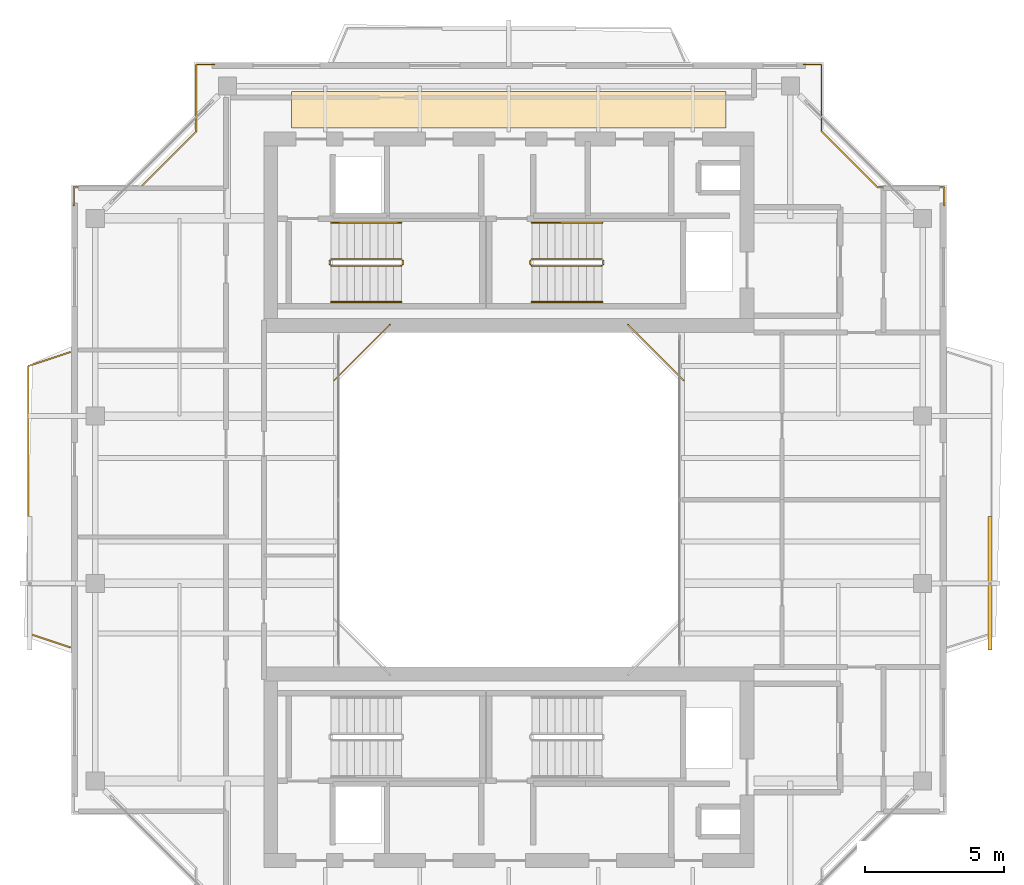
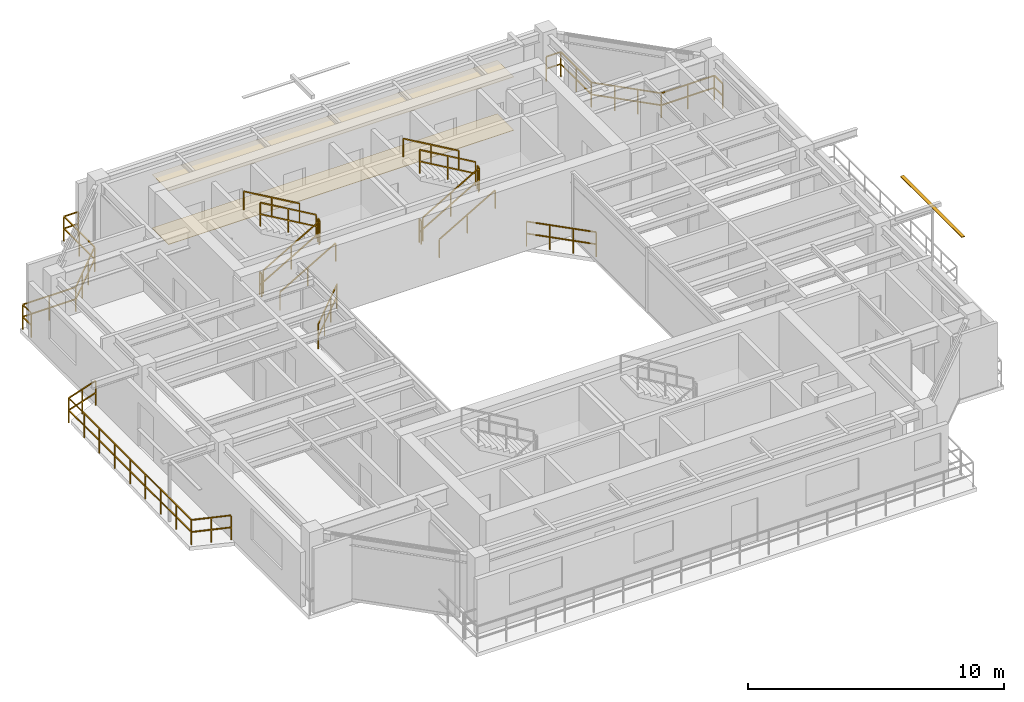
# One storey, part 14 of 15: 17 railings, 2 coverings, 1 shading device.
"""IFC4 building model written with IfcOpenShell, lengths in metres."""

from ifc_helpers import new_model, si_unit, direction, frame, origin, origin_2d, place, context, subcontext, project, spatial, polyline, rectangle, outline, extrude, source, transform, mapped, material, layer, layer_set, material_profile, profile_set, type_object, element, save


model = new_model("IFC4")

# Units and contexts
model_context = context("Model", 3, precision=1e-05, world=origin(), true_north=direction((0.0, 1.0)))
body_context = subcontext(model_context, "Body", "Model", "MODEL_VIEW")
ifc_project = project(units=[si_unit("LENGTHUNIT", "METRE"), si_unit("AREAUNIT", "SQUARE_METRE"), si_unit("VOLUMEUNIT", "CUBIC_METRE"), si_unit("PLANEANGLEUNIT", "RADIAN"), si_unit("MASSUNIT", "GRAM", prefix="KILO"), si_unit("THERMODYNAMICTEMPERATUREUNIT", "KELVIN"), si_unit("POWERUNIT", "WATT")], contexts=[model_context])

# Site, building, storey
site_placement = place(None, origin())
site = spatial("IfcSite", under=ifc_project, at=site_placement, CompositionType="ELEMENT")
building_placement = place(site_placement, origin())
building = spatial("IfcBuilding", under=site, at=building_placement, Name="Qiaomeng Ring Towers", CompositionType="ELEMENT")
storey_placement = place(building_placement, frame((0.0, 0.0, 237.25)))
storey = spatial("IfcBuildingStorey", under=building, at=storey_placement, Name="L69", CompositionType="ELEMENT", Elevation=237.25)

# Coverings
ifc_material_1 = material(Name="Moisture-resistant gypsum ceiling board", Category="gypsum")
ifc_layer_1 = layer(ifc_material_1, 0.030029296875, Name="Moisture-resistant gypsum ceiling board")
ifc_layer_set_1 = layer_set([ifc_layer_1], Name="Moisture-resistant gypsum ceiling board")
covering_type_1 = type_object("IfcCoveringType", Name="ARC-COV-CEIL2", PredefinedType="CEILING", material=ifc_layer_set_1)
covering_1_placement = place(storey_placement, frame((0.0, 0.0, 2.550048828125)))
element("IfcCovering", 1, at=covering_1_placement, inside=storey, type_object=covering_type_1, Name="L69 Corridor Acoustic Ceiling", PredefinedType="CEILING", context=body_context, shape_type="SweptSolid", body=[
    extrude(outline(polyline([(11.199951171875, 36.35009765625), (11.199951171875, 37.64990234375), (26.800048828125, 37.64990234375), (26.800048828125, 36.35009765625), (11.199951171875, 36.35009765625)])), origin(), (0.0, 0.0, 1.0), 0.02490234375),
])
ifc_material_2 = material(Name="Vitrified porcelain floor tile", Category="ceramic")
ifc_layer_2 = layer(ifc_material_2, 0.02001953125, Name="Vitrified porcelain floor tile")
ifc_layer_set_2 = layer_set([ifc_layer_2], Name="Vitrified porcelain floor tile")
covering_type_2 = type_object("IfcCoveringType", Name="ARC-COV-FLR1", PredefinedType="FLOORING", material=ifc_layer_set_2)
covering_2_placement = place(storey_placement, origin())
element("IfcCovering", 2, at=covering_2_placement, inside=storey, type_object=covering_type_2, Name="L69 Corridor Stone Flooring", PredefinedType="FLOORING", context=body_context, shape_type="SweptSolid", body=[
    extrude(outline(polyline([(11.199951171875, 36.35009765625), (11.199951171875, 37.64990234375), (26.800048828125, 37.64990234375), (26.800048828125, 36.35009765625), (11.199951171875, 36.35009765625)])), origin(), (0.0, 0.0, 1.0), 0.02001953125),
])

# Railings
ifc_material_3 = material(Name="Low-E pale-green laminated safety glass", Category="glass")
railing_type_1 = type_object("IfcRailingType", Name="ARC-RL-BAL1", PredefinedType="BALUSTRADE", material=ifc_material_3)
railing_1_placement = place(storey_placement, frame((25.280029296875, 27.280029296875, 0.0)))
element("IfcRailing", 3, at=railing_1_placement, inside=storey, type_object=railing_type_1, Name="L69 Balustrade ARC-BAL-WELL1-L69-2", PredefinedType="BALUSTRADE", context=body_context, shape_type="SweptSolid", body=[
    extrude(rectangle(XDim=0.048095703125, YDim=0.048095703125, at=origin_2d()), frame((0.0, 0.0, 1.17578125), z_axis=(-0.707106781187, 0.707106781187, 0.0), x_axis=(-0.707106781187, -0.707106781187, 0.0)), (0.0, 0.0, 1.0), 2.828369140625),
    extrude(rectangle(XDim=0.048095703125, YDim=0.048095703125, at=origin_2d()), frame((0.0, 0.0, 0.60009765625), z_axis=(-0.707106781187, 0.707106781187, 0.0), x_axis=(-0.707106781187, -0.707106781187, 0.0)), (0.0, 0.0, 1.0), 2.828369140625),
    extrude(rectangle(XDim=0.0419921875, YDim=0.0419921875, at=origin_2d()), origin(), (0.0, 0.0, 1.0), 1.15185546875),
    extrude(rectangle(XDim=0.0419921875, YDim=0.0419921875, at=origin_2d()), frame((-0.666748046875, 0.666748046875, 0.0)), (0.0, 0.0, 1.0), 1.15185546875),
    extrude(rectangle(XDim=0.0419921875, YDim=0.0419921875, at=origin_2d()), frame((-1.333251953125, 1.333251953125, 0.0)), (0.0, 0.0, 1.0), 1.15185546875),
    extrude(rectangle(XDim=0.0419921875, YDim=0.0419921875, at=origin_2d()), frame((-2.0, 2.0, 0.0)), (0.0, 0.0, 1.0), 1.15185546875),
])
railing_2_placement = place(storey_placement, frame((14.719970703125, 29.280029296875, 0.0)))
element("IfcRailing", 4, at=railing_2_placement, inside=storey, type_object=railing_type_1, Name="L69 Balustrade ARC-BAL-WELL1-L69-3", PredefinedType="BALUSTRADE", context=body_context, shape_type="SweptSolid", body=[
    extrude(rectangle(XDim=0.048095703125, YDim=0.048095703125, at=origin_2d()), frame((0.0, 0.0, 1.17578125), z_axis=(-0.707106781187, -0.707106781187, 0.0), x_axis=(0.707106781187, -0.707106781187, 0.0)), (0.0, 0.0, 1.0), 2.828369140625),
    extrude(rectangle(XDim=0.048095703125, YDim=0.048095703125, at=origin_2d()), frame((0.0, 0.0, 0.60009765625), z_axis=(-0.707106781187, -0.707106781187, 0.0), x_axis=(0.707106781187, -0.707106781187, 0.0)), (0.0, 0.0, 1.0), 2.828369140625),
    extrude(rectangle(XDim=0.0419921875, YDim=0.0419921875, at=origin_2d()), origin(), (0.0, 0.0, 1.0), 1.15185546875),
    extrude(rectangle(XDim=0.0419921875, YDim=0.0419921875, at=origin_2d()), frame((-0.666748046875, -0.666748046875, 0.0)), (0.0, 0.0, 1.0), 1.15185546875),
    extrude(rectangle(XDim=0.0419921875, YDim=0.0419921875, at=origin_2d()), frame((-1.333251953125, -1.333251953125, 0.0)), (0.0, 0.0, 1.0), 1.15185546875),
    extrude(rectangle(XDim=0.0419921875, YDim=0.0419921875, at=origin_2d()), frame((-2.0, -2.0, 0.0)), (0.0, 0.0, 1.0), 1.15185546875),
])
railing_3_placement = place(storey_placement, frame((34.6201171875, 33.570068359375, 0.0)))
element("IfcRailing", 5, at=railing_3_placement, inside=storey, type_object=railing_type_1, Name="L69 Balustrade ARC-BAL-NOTCH1-L69-NE", PredefinedType="BALUSTRADE", context=body_context, shape_type="SweptSolid", body=[
    extrude(rectangle(XDim=0.048095703125, YDim=0.048095703125, at=origin_2d()), frame((0.0, 0.0, 1.17578125), z_axis=(0.0, 1.0, 0.0), x_axis=(-1.0, 0.0, 0.0)), (0.0, 0.0, 1.0), 0.64990234375),
    extrude(rectangle(XDim=0.048095703125, YDim=0.048095703125, at=origin_2d()), frame((0.0, 0.0, 0.60009765625), z_axis=(0.0, 1.0, 0.0), x_axis=(-1.0, 0.0, 0.0)), (0.0, 0.0, 1.0), 0.64990234375),
    extrude(rectangle(XDim=0.048095703125, YDim=0.048095703125, at=origin_2d()), frame((0.0, 0.64990234375, 1.17578125), z_axis=(-1.0, 0.0, 0.0), x_axis=(0.0, -1.0, 0.0)), (0.0, 0.0, 1.0), 2.400146484375),
    extrude(rectangle(XDim=0.048095703125, YDim=0.048095703125, at=origin_2d()), frame((0.0, 0.64990234375, 0.60009765625), z_axis=(-1.0, 0.0, 0.0), x_axis=(0.0, -1.0, 0.0)), (0.0, 0.0, 1.0), 2.400146484375),
    extrude(rectangle(XDim=0.048095703125, YDim=0.048095703125, at=origin_2d()), frame((-2.400146484375, 0.64990234375, 1.17578125), z_axis=(-0.707106781187, 0.707106781187, 0.0), x_axis=(-0.707106781187, -0.707106781187, 0.0)), (0.0, 0.0, 1.0), 2.828369140625),
    extrude(rectangle(XDim=0.048095703125, YDim=0.048095703125, at=origin_2d()), frame((-2.400146484375, 0.64990234375, 0.60009765625), z_axis=(-0.707106781187, 0.707106781187, 0.0), x_axis=(-0.707106781187, -0.707106781187, 0.0)), (0.0, 0.0, 1.0), 2.828369140625),
    extrude(rectangle(XDim=0.048095703125, YDim=0.048095703125, at=origin_2d()), frame((-4.400146484375, 2.64990234375, 1.17578125), z_axis=(0.0, 1.0, 0.0), x_axis=(-1.0, 0.0, 0.0)), (0.0, 0.0, 1.0), 2.400146484375),
    extrude(rectangle(XDim=0.048095703125, YDim=0.048095703125, at=origin_2d()), frame((-4.400146484375, 2.64990234375, 0.60009765625), z_axis=(0.0, 1.0, 0.0), x_axis=(-1.0, 0.0, 0.0)), (0.0, 0.0, 1.0), 2.400146484375),
    extrude(rectangle(XDim=0.048095703125, YDim=0.048095703125, at=origin_2d()), frame((-4.400146484375, 5.050048828125, 1.17578125), z_axis=(-1.0, 0.0, 0.0), x_axis=(0.0, -1.0, 0.0)), (0.0, 0.0, 1.0), 0.64990234375),
    extrude(rectangle(XDim=0.048095703125, YDim=0.048095703125, at=origin_2d()), frame((-4.400146484375, 5.050048828125, 0.60009765625), z_axis=(-1.0, 0.0, 0.0), x_axis=(0.0, -1.0, 0.0)), (0.0, 0.0, 1.0), 0.64990234375),
    extrude(rectangle(XDim=0.0419921875, YDim=0.0419921875, at=origin_2d()), origin(), (0.0, 0.0, 1.0), 1.15185546875),
    extrude(rectangle(XDim=0.0419921875, YDim=0.0419921875, at=origin_2d()), frame((0.0, 0.64990234375, 0.0)), (0.0, 0.0, 1.0), 1.15185546875),
    extrude(rectangle(XDim=0.0419921875, YDim=0.0419921875, at=origin_2d()), frame((-1.2001953125, 0.64990234375, 0.0)), (0.0, 0.0, 1.0), 1.15185546875),
    extrude(rectangle(XDim=0.0419921875, YDim=0.0419921875, at=origin_2d()), frame((-2.400146484375, 0.64990234375, 0.0)), (0.0, 0.0, 1.0), 1.15185546875),
    extrude(rectangle(XDim=0.0419921875, YDim=0.0419921875, at=origin_2d()), frame((-3.06689453125, 1.316650390625, 0.0)), (0.0, 0.0, 1.0), 1.15185546875),
    extrude(rectangle(XDim=0.0419921875, YDim=0.0419921875, at=origin_2d()), frame((-3.7333984375, 1.983154296875, 0.0)), (0.0, 0.0, 1.0), 1.15185546875),
    extrude(rectangle(XDim=0.0419921875, YDim=0.0419921875, at=origin_2d()), frame((-4.400146484375, 2.64990234375, 0.0)), (0.0, 0.0, 1.0), 1.15185546875),
    extrude(rectangle(XDim=0.0419921875, YDim=0.0419921875, at=origin_2d()), frame((-4.400146484375, 3.85009765625, 0.0)), (0.0, 0.0, 1.0), 1.15185546875),
    extrude(rectangle(XDim=0.0419921875, YDim=0.0419921875, at=origin_2d()), frame((-4.400146484375, 5.050048828125, 0.0)), (0.0, 0.0, 1.0), 1.15185546875),
    extrude(rectangle(XDim=0.0419921875, YDim=0.0419921875, at=origin_2d()), frame((-5.050048828125, 5.050048828125, 0.0)), (0.0, 0.0, 1.0), 1.15185546875),
])
railing_4_placement = place(storey_placement, frame((8.429931640625, 38.6201171875, 0.0)))
element("IfcRailing", 6, at=railing_4_placement, inside=storey, type_object=railing_type_1, Name="L69 Balustrade ARC-BAL-NOTCH1-L69-NW", PredefinedType="BALUSTRADE", context=body_context, shape_type="SweptSolid", body=[
    extrude(rectangle(XDim=0.048095703125, YDim=0.048095703125, at=origin_2d()), frame((0.0, 0.0, 1.17578125), z_axis=(-1.0, 0.0, 0.0), x_axis=(0.0, -1.0, 0.0)), (0.0, 0.0, 1.0), 0.64990234375),
    extrude(rectangle(XDim=0.048095703125, YDim=0.048095703125, at=origin_2d()), frame((0.0, 0.0, 0.60009765625), z_axis=(-1.0, 0.0, 0.0), x_axis=(0.0, -1.0, 0.0)), (0.0, 0.0, 1.0), 0.64990234375),
    extrude(rectangle(XDim=0.048095703125, YDim=0.048095703125, at=origin_2d()), frame((-0.64990234375, 0.0, 1.17578125), z_axis=(0.0, -1.0, 0.0), x_axis=(1.0, 0.0, 0.0)), (0.0, 0.0, 1.0), 2.400146484375),
    extrude(rectangle(XDim=0.048095703125, YDim=0.048095703125, at=origin_2d()), frame((-0.64990234375, 0.0, 0.60009765625), z_axis=(0.0, -1.0, 0.0), x_axis=(1.0, 0.0, 0.0)), (0.0, 0.0, 1.0), 2.400146484375),
    extrude(rectangle(XDim=0.048095703125, YDim=0.048095703125, at=origin_2d()), frame((-0.64990234375, -2.400146484375, 1.17578125), z_axis=(-0.707106781187, -0.707106781187, 0.0), x_axis=(0.707106781187, -0.707106781187, 0.0)), (0.0, 0.0, 1.0), 2.828369140625),
    extrude(rectangle(XDim=0.048095703125, YDim=0.048095703125, at=origin_2d()), frame((-0.64990234375, -2.400146484375, 0.60009765625), z_axis=(-0.707106781187, -0.707106781187, 0.0), x_axis=(0.707106781187, -0.707106781187, 0.0)), (0.0, 0.0, 1.0), 2.828369140625),
    extrude(rectangle(XDim=0.048095703125, YDim=0.048095703125, at=origin_2d()), frame((-2.64990234375, -4.400146484375, 1.17578125), z_axis=(-1.0, 0.0, 0.0), x_axis=(0.0, -1.0, 0.0)), (0.0, 0.0, 1.0), 2.400146484375),
    extrude(rectangle(XDim=0.048095703125, YDim=0.048095703125, at=origin_2d()), frame((-2.64990234375, -4.400146484375, 0.60009765625), z_axis=(-1.0, 0.0, 0.0), x_axis=(0.0, -1.0, 0.0)), (0.0, 0.0, 1.0), 2.400146484375),
    extrude(rectangle(XDim=0.048095703125, YDim=0.048095703125, at=origin_2d()), frame((-5.050048828125, -4.400146484375, 1.17578125), z_axis=(0.0, -1.0, 0.0), x_axis=(1.0, 0.0, 0.0)), (0.0, 0.0, 1.0), 0.64990234375),
    extrude(rectangle(XDim=0.048095703125, YDim=0.048095703125, at=origin_2d()), frame((-5.050048828125, -4.400146484375, 0.60009765625), z_axis=(0.0, -1.0, 0.0), x_axis=(1.0, 0.0, 0.0)), (0.0, 0.0, 1.0), 0.64990234375),
    extrude(rectangle(XDim=0.0419921875, YDim=0.0419921875, at=origin_2d()), origin(), (0.0, 0.0, 1.0), 1.15185546875),
    extrude(rectangle(XDim=0.0419921875, YDim=0.0419921875, at=origin_2d()), frame((-0.64990234375, 0.0, 0.0)), (0.0, 0.0, 1.0), 1.15185546875),
    extrude(rectangle(XDim=0.0419921875, YDim=0.0419921875, at=origin_2d()), frame((-0.64990234375, -1.2001953125, 0.0)), (0.0, 0.0, 1.0), 1.15185546875),
    extrude(rectangle(XDim=0.0419921875, YDim=0.0419921875, at=origin_2d()), frame((-0.64990234375, -2.400146484375, 0.0)), (0.0, 0.0, 1.0), 1.15185546875),
    extrude(rectangle(XDim=0.0419921875, YDim=0.0419921875, at=origin_2d()), frame((-1.316650390625, -3.06689453125, 0.0)), (0.0, 0.0, 1.0), 1.15185546875),
    extrude(rectangle(XDim=0.0419921875, YDim=0.0419921875, at=origin_2d()), frame((-1.983154296875, -3.7333984375, 0.0)), (0.0, 0.0, 1.0), 1.15185546875),
    extrude(rectangle(XDim=0.0419921875, YDim=0.0419921875, at=origin_2d()), frame((-2.64990234375, -4.400146484375, 0.0)), (0.0, 0.0, 1.0), 1.15185546875),
    extrude(rectangle(XDim=0.0419921875, YDim=0.0419921875, at=origin_2d()), frame((-3.85009765625, -4.400146484375, 0.0)), (0.0, 0.0, 1.0), 1.15185546875),
    extrude(rectangle(XDim=0.0419921875, YDim=0.0419921875, at=origin_2d()), frame((-5.050048828125, -4.400146484375, 0.0)), (0.0, 0.0, 1.0), 1.15185546875),
    extrude(rectangle(XDim=0.0419921875, YDim=0.0419921875, at=origin_2d()), frame((-5.050048828125, -5.050048828125, 0.0)), (0.0, 0.0, 1.0), 1.15185546875),
])
railing_5_placement = place(storey_placement, frame((3.25, 17.699951171875, 0.0)))
element("IfcRailing", 7, at=railing_5_placement, inside=storey, type_object=railing_type_1, Name="L69 Balustrade ARC-BAL-L69-T1-W", PredefinedType="BALUSTRADE", context=body_context, shape_type="SweptSolid", body=[
    extrude(rectangle(XDim=0.048095703125, YDim=0.048095703125, at=origin_2d()), frame((0.0, 0.0, 1.17578125), z_axis=(-0.948683298051, 0.316227766017, 0.0), x_axis=(-0.316227766017, -0.948683298051, 0.0)), (0.0, 0.0, 1.0), 1.5810546875),
    extrude(rectangle(XDim=0.048095703125, YDim=0.048095703125, at=origin_2d()), frame((0.0, 0.0, 0.60009765625), z_axis=(-0.948683298051, 0.316227766017, 0.0), x_axis=(-0.316227766017, -0.948683298051, 0.0)), (0.0, 0.0, 1.0), 1.5810546875),
    extrude(rectangle(XDim=0.048095703125, YDim=0.048095703125, at=origin_2d()), frame((-1.5, 0.5, 1.17578125), z_axis=(0.0, 1.0, 0.0), x_axis=(-1.0, 0.0, 0.0)), (0.0, 0.0, 1.0), 9.60009765625),
    extrude(rectangle(XDim=0.048095703125, YDim=0.048095703125, at=origin_2d()), frame((-1.5, 0.5, 0.60009765625), z_axis=(0.0, 1.0, 0.0), x_axis=(-1.0, 0.0, 0.0)), (0.0, 0.0, 1.0), 9.60009765625),
    extrude(rectangle(XDim=0.048095703125, YDim=0.048095703125, at=origin_2d()), frame((-1.5, 10.10009765625, 1.17578125), z_axis=(0.948683298051, 0.316227766017, 0.0), x_axis=(-0.316227766017, 0.948683298051, 0.0)), (0.0, 0.0, 1.0), 1.5810546875),
    extrude(rectangle(XDim=0.048095703125, YDim=0.048095703125, at=origin_2d()), frame((-1.5, 10.10009765625, 0.60009765625), z_axis=(0.948683298051, 0.316227766017, 0.0), x_axis=(-0.316227766017, 0.948683298051, 0.0)), (0.0, 0.0, 1.0), 1.5810546875),
    extrude(rectangle(XDim=0.0419921875, YDim=0.0419921875, at=origin_2d()), origin(), (0.0, 0.0, 1.0), 1.15185546875),
    extrude(rectangle(XDim=0.0419921875, YDim=0.0419921875, at=origin_2d()), frame((-0.75, 0.25, 0.0)), (0.0, 0.0, 1.0), 1.15185546875),
    extrude(rectangle(XDim=0.0419921875, YDim=0.0419921875, at=origin_2d()), frame((-1.5, 0.5, 0.0)), (0.0, 0.0, 1.0), 1.15185546875),
    extrude(rectangle(XDim=0.0419921875, YDim=0.0419921875, at=origin_2d()), frame((-1.5, 1.699951171875, 0.0)), (0.0, 0.0, 1.0), 1.15185546875),
    extrude(rectangle(XDim=0.0419921875, YDim=0.0419921875, at=origin_2d()), frame((-1.5, 2.89990234375, 0.0)), (0.0, 0.0, 1.0), 1.15185546875),
    extrude(rectangle(XDim=0.0419921875, YDim=0.0419921875, at=origin_2d()), frame((-1.5, 4.10009765625, 0.0)), (0.0, 0.0, 1.0), 1.15185546875),
    extrude(rectangle(XDim=0.0419921875, YDim=0.0419921875, at=origin_2d()), frame((-1.5, 5.300048828125, 0.0)), (0.0, 0.0, 1.0), 1.15185546875),
    extrude(rectangle(XDim=0.0419921875, YDim=0.0419921875, at=origin_2d()), frame((-1.5, 6.5, 0.0)), (0.0, 0.0, 1.0), 1.15185546875),
    extrude(rectangle(XDim=0.0419921875, YDim=0.0419921875, at=origin_2d()), frame((-1.5, 7.7001953125, 0.0)), (0.0, 0.0, 1.0), 1.15185546875),
    extrude(rectangle(XDim=0.0419921875, YDim=0.0419921875, at=origin_2d()), frame((-1.5, 8.900146484375, 0.0)), (0.0, 0.0, 1.0), 1.15185546875),
    extrude(rectangle(XDim=0.0419921875, YDim=0.0419921875, at=origin_2d()), frame((-1.5, 10.10009765625, 0.0)), (0.0, 0.0, 1.0), 1.15185546875),
    extrude(rectangle(XDim=0.0419921875, YDim=0.0419921875, at=origin_2d()), frame((-0.75, 10.35009765625, 0.0)), (0.0, 0.0, 1.0), 1.15185546875),
    extrude(rectangle(XDim=0.0419921875, YDim=0.0419921875, at=origin_2d()), frame((0.0, 10.60009765625, 0.0)), (0.0, 0.0, 1.0), 1.15185546875),
])
ifc_material_4 = material(Name="Galvanised steel", Category="steel")
railing_type_2 = type_object("IfcRailingType", Name="ARC-RL-GUARD", PredefinedType="GUARDRAIL", material=ifc_material_4)
railing_6_placement = place(storey_placement, frame((12.6201171875, 31.39990234375, 0.16259765625)))
element("IfcRailing", 8, at=railing_6_placement, inside=storey, type_object=railing_type_2, Name="L69 ST1 stair guard 1", PredefinedType="GUARDRAIL", context=body_context, shape_type="SweptSolid", body=[
    extrude(rectangle(XDim=0.048095703125, YDim=0.048095703125, at=origin_2d()), frame((0.0, 0.0, 1.1259765625), z_axis=(0.864892226395, 0.0, 0.501957604506), x_axis=(0.0, 1.0, 0.0)), (0.0, 0.0, 1.0), 2.913330078125),
    extrude(rectangle(XDim=0.048095703125, YDim=0.048095703125, at=origin_2d()), frame((0.0, 0.0, 0.574951171875), z_axis=(0.864892226395, 0.0, 0.501957604506), x_axis=(0.0, 1.0, 0.0)), (0.0, 0.0, 1.0), 2.913330078125),
    extrude(rectangle(XDim=0.0419921875, YDim=0.0419921875, at=origin_2d()), origin(), (0.0, 0.0, 1.0), 1.101806640625),
    extrude(rectangle(XDim=0.0419921875, YDim=0.0419921875, at=origin_2d()), frame((1.259765625, 0.0, 0.731201171875)), (0.0, 0.0, 1.0), 1.101806640625),
    extrude(rectangle(XDim=0.0419921875, YDim=0.0419921875, at=origin_2d()), frame((2.519775390625, 0.0, 1.46240234375)), (0.0, 0.0, 1.0), 1.101806640625),
])
railing_7_placement = place(storey_placement, frame((15.18994140625, 31.449951171875, 1.625)))
element("IfcRailing", 9, at=railing_7_placement, inside=storey, type_object=railing_type_2, Name="L69 ST1 stair guard 2", PredefinedType="GUARDRAIL", context=body_context, shape_type="SweptSolid", body=[
    extrude(rectangle(XDim=0.048095703125, YDim=0.048095703125, at=origin_2d()), frame((0.0, 0.0, 1.1259765625), z_axis=(0.0, 1.0, 0.0), x_axis=(-1.0, 0.0, 0.0)), (0.0, 0.0, 1.0), 0.14013671875),
    extrude(rectangle(XDim=0.048095703125, YDim=0.048095703125, at=origin_2d()), frame((0.0, 0.0, 0.574951171875), z_axis=(0.0, 1.0, 0.0), x_axis=(-1.0, 0.0, 0.0)), (0.0, 0.0, 1.0), 0.14013671875),
    extrude(rectangle(XDim=0.0419921875, YDim=0.0419921875, at=origin_2d()), origin(), (0.0, 0.0, 1.0), 1.101806640625),
    extrude(rectangle(XDim=0.0419921875, YDim=0.0419921875, at=origin_2d()), frame((0.0, 0.14013671875, 0.0)), (0.0, 0.0, 1.0), 1.101806640625),
])
railing_8_placement = place(storey_placement, frame((15.139892578125, 31.639892578125, 1.78759765625)))
element("IfcRailing", 10, at=railing_8_placement, inside=storey, type_object=railing_type_2, Name="L69 ST1 stair guard 3", PredefinedType="GUARDRAIL", context=body_context, shape_type="SweptSolid", body=[
    extrude(rectangle(XDim=0.048095703125, YDim=0.048095703125, at=origin_2d()), frame((0.0, 0.0, 1.1259765625), z_axis=(-0.864892226395, 0.0, 0.501957604506), x_axis=(0.0, -1.0, 0.0)), (0.0, 0.0, 1.0), 2.913330078125),
    extrude(rectangle(XDim=0.048095703125, YDim=0.048095703125, at=origin_2d()), frame((0.0, 0.0, 0.574951171875), z_axis=(-0.864892226395, 0.0, 0.501957604506), x_axis=(0.0, -1.0, 0.0)), (0.0, 0.0, 1.0), 2.913330078125),
    extrude(rectangle(XDim=0.0419921875, YDim=0.0419921875, at=origin_2d()), origin(), (0.0, 0.0, 1.0), 1.101806640625),
    extrude(rectangle(XDim=0.0419921875, YDim=0.0419921875, at=origin_2d()), frame((-1.259765625, 0.0, 0.731201171875)), (0.0, 0.0, 1.0), 1.101806640625),
    extrude(rectangle(XDim=0.0419921875, YDim=0.0419921875, at=origin_2d()), frame((-2.519775390625, 0.0, 1.46240234375)), (0.0, 0.0, 1.0), 1.101806640625),
])
railing_9_placement = place(storey_placement, frame((12.570068359375, 31.449951171875, 0.0)))
element("IfcRailing", 11, at=railing_9_placement, inside=storey, type_object=railing_type_2, Name="L69 ST1 stair guard 4", PredefinedType="GUARDRAIL", context=body_context, shape_type="SweptSolid", body=[
    extrude(rectangle(XDim=0.048095703125, YDim=0.048095703125, at=origin_2d()), frame((0.0, 0.0, 1.1259765625), z_axis=(0.0, 1.0, 0.0), x_axis=(-1.0, 0.0, 0.0)), (0.0, 0.0, 1.0), 0.14013671875),
    extrude(rectangle(XDim=0.048095703125, YDim=0.048095703125, at=origin_2d()), frame((0.0, 0.0, 0.574951171875), z_axis=(0.0, 1.0, 0.0), x_axis=(-1.0, 0.0, 0.0)), (0.0, 0.0, 1.0), 0.14013671875),
    extrude(rectangle(XDim=0.0419921875, YDim=0.0419921875, at=origin_2d()), origin(), (0.0, 0.0, 1.0), 1.101806640625),
    extrude(rectangle(XDim=0.0419921875, YDim=0.0419921875, at=origin_2d()), frame((0.0, 0.14013671875, 0.0)), (0.0, 0.0, 1.0), 1.101806640625),
])
railing_10_placement = place(storey_placement, frame((19.820068359375, 31.39990234375, 0.16259765625)))
element("IfcRailing", 12, at=railing_10_placement, inside=storey, type_object=railing_type_2, Name="L69 ST2 stair guard 1", PredefinedType="GUARDRAIL", context=body_context, shape_type="SweptSolid", body=[
    extrude(rectangle(XDim=0.048095703125, YDim=0.048095703125, at=origin_2d()), frame((0.0, 0.0, 1.1259765625), z_axis=(0.864913338283, 0.0, 0.50192122615), x_axis=(0.0, 1.0, 0.0)), (0.0, 0.0, 1.0), 2.91357421875),
    extrude(rectangle(XDim=0.048095703125, YDim=0.048095703125, at=origin_2d()), frame((0.0, 0.0, 0.574951171875), z_axis=(0.864913338283, 0.0, 0.50192122615), x_axis=(0.0, 1.0, 0.0)), (0.0, 0.0, 1.0), 2.91357421875),
    extrude(rectangle(XDim=0.0419921875, YDim=0.0419921875, at=origin_2d()), origin(), (0.0, 0.0, 1.0), 1.101806640625),
    extrude(rectangle(XDim=0.0419921875, YDim=0.0419921875, at=origin_2d()), frame((1.260009765625, 0.0, 0.731201171875)), (0.0, 0.0, 1.0), 1.101806640625),
    extrude(rectangle(XDim=0.0419921875, YDim=0.0419921875, at=origin_2d()), frame((2.52001953125, 0.0, 1.46240234375)), (0.0, 0.0, 1.0), 1.101806640625),
])
railing_11_placement = place(storey_placement, frame((22.389892578125, 31.449951171875, 1.625)))
element("IfcRailing", 13, at=railing_11_placement, inside=storey, type_object=railing_type_2, Name="L69 ST2 stair guard 2", PredefinedType="GUARDRAIL", context=body_context, shape_type="SweptSolid", body=[
    extrude(rectangle(XDim=0.048095703125, YDim=0.048095703125, at=origin_2d()), frame((0.0, 0.0, 1.1259765625), z_axis=(0.0, 1.0, 0.0), x_axis=(-1.0, 0.0, 0.0)), (0.0, 0.0, 1.0), 0.14013671875),
    extrude(rectangle(XDim=0.048095703125, YDim=0.048095703125, at=origin_2d()), frame((0.0, 0.0, 0.574951171875), z_axis=(0.0, 1.0, 0.0), x_axis=(-1.0, 0.0, 0.0)), (0.0, 0.0, 1.0), 0.14013671875),
    extrude(rectangle(XDim=0.0419921875, YDim=0.0419921875, at=origin_2d()), origin(), (0.0, 0.0, 1.0), 1.101806640625),
    extrude(rectangle(XDim=0.0419921875, YDim=0.0419921875, at=origin_2d()), frame((0.0, 0.14013671875, 0.0)), (0.0, 0.0, 1.0), 1.101806640625),
])
railing_12_placement = place(storey_placement, frame((22.340087890625, 31.639892578125, 1.78759765625)))
element("IfcRailing", 14, at=railing_12_placement, inside=storey, type_object=railing_type_2, Name="L69 ST2 stair guard 3", PredefinedType="GUARDRAIL", context=body_context, shape_type="SweptSolid", body=[
    extrude(rectangle(XDim=0.048095703125, YDim=0.048095703125, at=origin_2d()), frame((0.0, 0.0, 1.1259765625), z_axis=(-0.864913338283, 0.0, 0.50192122615), x_axis=(0.0, -1.0, 0.0)), (0.0, 0.0, 1.0), 2.91357421875),
    extrude(rectangle(XDim=0.048095703125, YDim=0.048095703125, at=origin_2d()), frame((0.0, 0.0, 0.574951171875), z_axis=(-0.864913338283, 0.0, 0.50192122615), x_axis=(0.0, -1.0, 0.0)), (0.0, 0.0, 1.0), 2.91357421875),
    extrude(rectangle(XDim=0.0419921875, YDim=0.0419921875, at=origin_2d()), origin(), (0.0, 0.0, 1.0), 1.101806640625),
    extrude(rectangle(XDim=0.0419921875, YDim=0.0419921875, at=origin_2d()), frame((-1.260009765625, 0.0, 0.731201171875)), (0.0, 0.0, 1.0), 1.101806640625),
    extrude(rectangle(XDim=0.0419921875, YDim=0.0419921875, at=origin_2d()), frame((-2.52001953125, 0.0, 1.46240234375)), (0.0, 0.0, 1.0), 1.101806640625),
])
railing_13_placement = place(storey_placement, frame((19.77001953125, 31.449951171875, 0.0)))
element("IfcRailing", 15, at=railing_13_placement, inside=storey, type_object=railing_type_2, Name="L69 ST2 stair guard 4", PredefinedType="GUARDRAIL", context=body_context, shape_type="SweptSolid", body=[
    extrude(rectangle(XDim=0.048095703125, YDim=0.048095703125, at=origin_2d()), frame((0.0, 0.0, 1.1259765625), z_axis=(0.0, 1.0, 0.0), x_axis=(-1.0, 0.0, 0.0)), (0.0, 0.0, 1.0), 0.14013671875),
    extrude(rectangle(XDim=0.048095703125, YDim=0.048095703125, at=origin_2d()), frame((0.0, 0.0, 0.574951171875), z_axis=(0.0, 1.0, 0.0), x_axis=(-1.0, 0.0, 0.0)), (0.0, 0.0, 1.0), 0.14013671875),
    extrude(rectangle(XDim=0.0419921875, YDim=0.0419921875, at=origin_2d()), origin(), (0.0, 0.0, 1.0), 1.101806640625),
    extrude(rectangle(XDim=0.0419921875, YDim=0.0419921875, at=origin_2d()), frame((0.0, 0.14013671875, 0.0)), (0.0, 0.0, 1.0), 1.101806640625),
])
ifc_material_5 = material(Name="Stainless steel 316", Category="steel")
railing_type_3 = type_object("IfcRailingType", Name="ARC-RL-HAND", PredefinedType="HANDRAIL", material=ifc_material_5)
railing_14_placement = place(storey_placement, frame((12.6201171875, 30.10009765625, 0.16259765625)))
element("IfcRailing", 16, at=railing_14_placement, inside=storey, type_object=railing_type_3, Name="L69 ST1 stair handrail 1", PredefinedType="HANDRAIL", context=body_context, shape_type="SweptSolid", body=[
    extrude(rectangle(XDim=0.048095703125, YDim=0.048095703125, at=origin_2d()), frame((0.0, 0.0, 0.8759765625), z_axis=(0.864892226395, 0.0, 0.501957604506), x_axis=(0.0, 1.0, 0.0)), (0.0, 0.0, 1.0), 2.913330078125),
    extrude(rectangle(XDim=0.0419921875, YDim=0.0419921875, at=origin_2d()), origin(), (0.0, 0.0, 1.0), 0.851806640625),
    extrude(rectangle(XDim=0.0419921875, YDim=0.0419921875, at=origin_2d()), frame((1.259765625, 0.0, 0.731201171875)), (0.0, 0.0, 1.0), 0.851806640625),
    extrude(rectangle(XDim=0.0419921875, YDim=0.0419921875, at=origin_2d()), frame((2.519775390625, 0.0, 1.46240234375)), (0.0, 0.0, 1.0), 0.851806640625),
])
railing_15_placement = place(storey_placement, frame((15.139892578125, 32.93994140625, 1.78759765625)))
element("IfcRailing", 17, at=railing_15_placement, inside=storey, type_object=railing_type_3, Name="L69 ST1 stair handrail 2", PredefinedType="HANDRAIL", context=body_context, shape_type="SweptSolid", body=[
    extrude(rectangle(XDim=0.048095703125, YDim=0.048095703125, at=origin_2d()), frame((0.0, 0.0, 0.8759765625), z_axis=(-0.864892226395, 0.0, 0.501957604506), x_axis=(0.0, -1.0, 0.0)), (0.0, 0.0, 1.0), 2.913330078125),
    extrude(rectangle(XDim=0.0419921875, YDim=0.0419921875, at=origin_2d()), origin(), (0.0, 0.0, 1.0), 0.851806640625),
    extrude(rectangle(XDim=0.0419921875, YDim=0.0419921875, at=origin_2d()), frame((-1.259765625, 0.0, 0.731201171875)), (0.0, 0.0, 1.0), 0.851806640625),
    extrude(rectangle(XDim=0.0419921875, YDim=0.0419921875, at=origin_2d()), frame((-2.519775390625, 0.0, 1.46240234375)), (0.0, 0.0, 1.0), 0.851806640625),
])
railing_16_placement = place(storey_placement, frame((19.820068359375, 30.10009765625, 0.16259765625)))
element("IfcRailing", 18, at=railing_16_placement, inside=storey, type_object=railing_type_3, Name="L69 ST2 stair handrail 1", PredefinedType="HANDRAIL", context=body_context, shape_type="SweptSolid", body=[
    extrude(rectangle(XDim=0.048095703125, YDim=0.048095703125, at=origin_2d()), frame((0.0, 0.0, 0.8759765625), z_axis=(0.864913338283, 0.0, 0.50192122615), x_axis=(0.0, 1.0, 0.0)), (0.0, 0.0, 1.0), 2.91357421875),
    extrude(rectangle(XDim=0.0419921875, YDim=0.0419921875, at=origin_2d()), origin(), (0.0, 0.0, 1.0), 0.851806640625),
    extrude(rectangle(XDim=0.0419921875, YDim=0.0419921875, at=origin_2d()), frame((1.260009765625, 0.0, 0.731201171875)), (0.0, 0.0, 1.0), 0.851806640625),
    extrude(rectangle(XDim=0.0419921875, YDim=0.0419921875, at=origin_2d()), frame((2.52001953125, 0.0, 1.46240234375)), (0.0, 0.0, 1.0), 0.851806640625),
])
railing_17_placement = place(storey_placement, frame((22.340087890625, 32.93994140625, 1.78759765625)))
element("IfcRailing", 19, at=railing_17_placement, inside=storey, type_object=railing_type_3, Name="L69 ST2 stair handrail 2", PredefinedType="HANDRAIL", context=body_context, shape_type="SweptSolid", body=[
    extrude(rectangle(XDim=0.048095703125, YDim=0.048095703125, at=origin_2d()), frame((0.0, 0.0, 0.8759765625), z_axis=(-0.864913338283, 0.0, 0.50192122615), x_axis=(0.0, -1.0, 0.0)), (0.0, 0.0, 1.0), 2.91357421875),
    extrude(rectangle(XDim=0.0419921875, YDim=0.0419921875, at=origin_2d()), origin(), (0.0, 0.0, 1.0), 0.851806640625),
    extrude(rectangle(XDim=0.0419921875, YDim=0.0419921875, at=origin_2d()), frame((-1.260009765625, 0.0, 0.731201171875)), (0.0, 0.0, 1.0), 0.851806640625),
    extrude(rectangle(XDim=0.0419921875, YDim=0.0419921875, at=origin_2d()), frame((-2.52001953125, 0.0, 1.46240234375)), (0.0, 0.0, 1.0), 0.851806640625),
])

# Shading device
ifc_material_6 = material(Name="Fluorocarbon dark-grey aluminium", Category="aluminium")
ifc_material_profile = material_profile(ifc_material_6, rectangle(XDim=0.14990234375, YDim=0.034912109375, at=origin_2d()), Name="LV BLADE 150x35")
ifc_profile_set = profile_set([ifc_material_profile], Name="Fluorocarbon dark-grey aluminium")
shading_device_type = type_object("IfcShadingDeviceType", Name="ARC-SHD-SUN", PredefinedType="AWNING", material=ifc_profile_set)
shared_shape = source(origin(), body_context, "Body", "SweptSolid", [
    extrude(rectangle(XDim=0.14990234375, YDim=0.034912109375, at=origin_2d()), origin(), (0.0, 0.0, 1.0), 4.7998046875),
])
shading_device_placement = place(storey_placement, frame((36.27001953125, 17.60009765625, 2.969970703125), z_axis=(0.0, 1.0, 0.0), x_axis=(-1.0, 0.0, 0.0)))
element("IfcShadingDevice", 20, at=shading_device_placement, inside=storey, type_object=shading_device_type, Name="L69 Ventilated Outer-Skin Sunshade E", PredefinedType="AWNING", context=body_context, shape_type="MappedRepresentation", body=[
    mapped(shared_shape, transform((0.0, 0.0, 0.0), x_axis=(1.0, 0.0, 0.0), y_axis=(0.0, 1.0, 0.0), z_axis=(0.0, 0.0, 1.0), scale=1.0)),
])

save(model, "model.ifc")
